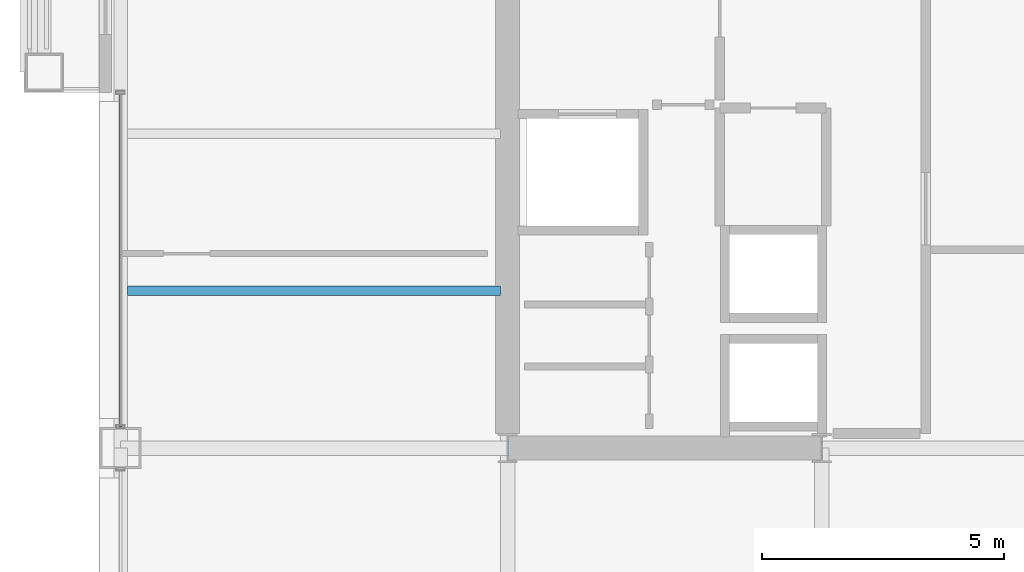
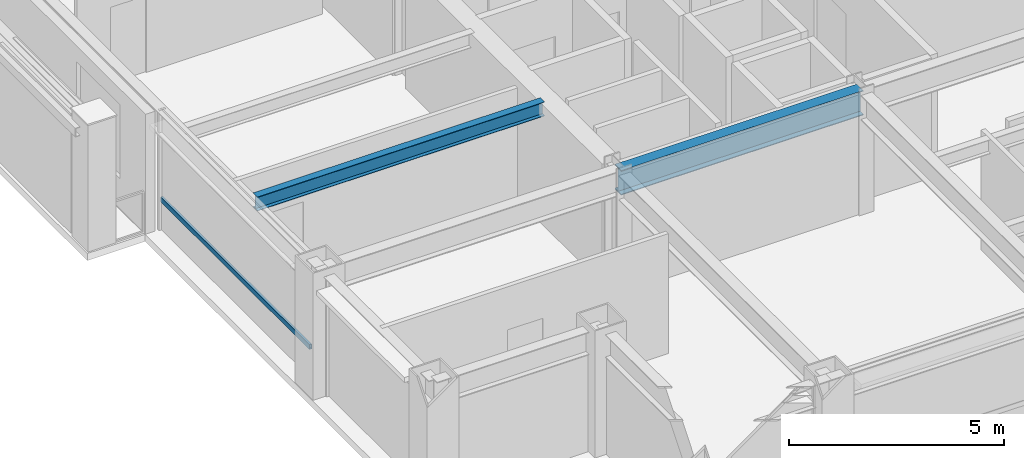
# One storey, part 4 of 31: 2 beams, 1 member, 1 element without a shape of its own.
"""IFC4 building model written with IfcOpenShell, lengths in metres."""

from ifc_helpers import new_model, si_unit, direction, frame, origin, origin_2d, place, context, subcontext, project, spatial, hollow_rectangle, i_section, extrude, material, layer, layer_set, material_profile, profile_set, type_object, element, aggregate, save


model = new_model("IFC4")

# Units and contexts
model_context = context("Model", 3, precision=1e-05, world=origin(), true_north=direction((0.0, 1.0)))
body_context = subcontext(model_context, "Body", "Model", "MODEL_VIEW")
ifc_project = project(units=[si_unit("LENGTHUNIT", "METRE"), si_unit("AREAUNIT", "SQUARE_METRE"), si_unit("VOLUMEUNIT", "CUBIC_METRE"), si_unit("PLANEANGLEUNIT", "RADIAN"), si_unit("MASSUNIT", "GRAM", prefix="KILO")], contexts=[model_context])

# Site, building, storey
site_placement = place(None, origin())
site = spatial("IfcSite", under=ifc_project, at=site_placement, CompositionType="ELEMENT")
building_placement = place(site_placement, origin())
building = spatial("IfcBuilding", under=site, at=building_placement, Name="Brelmoor Portico Tower", CompositionType="ELEMENT")
storey_placement = place(building_placement, frame((0.0, 0.0, 113.39990234375)))
storey = spatial("IfcBuildingStorey", under=building, at=storey_placement, Name="L29", CompositionType="ELEMENT", Elevation=113.39990234375)

# Beams
ifc_material_1 = material(Name="Steel Q355B", Category="steel")
ifc_material_profile_1 = material_profile(ifc_material_1, i_section(OverallWidth=0.199951171875, OverallDepth=0.39990234375, WebThickness=0.008056640625, FlangeThickness=0.012939453125, at=origin_2d()), Name="HN 400x200x8x13")
ifc_profile_set_1 = profile_set([ifc_material_profile_1], Name="Steel Q355B")
beam_type_1 = type_object("IfcBeamType", Name="BM-JS-400", PredefinedType="JOIST", material=ifc_profile_set_1)
beam_1_placement = place(storey_placement, frame((-22.409912109375, -6.5, 3.2001953125), z_axis=(1.0, 0.0, 0.0), x_axis=(0.0, 1.0, 0.0)))
element("IfcBeam", 1, at=beam_1_placement, inside=storey, type_object=beam_type_1, Name="L29 Secondary Wing Joist JS-W05", PredefinedType="JOIST", context=body_context, shape_type="SweptSolid", body=[
    extrude(i_section(OverallWidth=0.199951171875, OverallDepth=0.39990234375, WebThickness=0.008056640625, FlangeThickness=0.012939453125, at=origin_2d()), origin(), (0.0, 0.0, 1.0), 7.7099609375),
])
ifc_material_profile_2 = material_profile(ifc_material_1, i_section(OverallWidth=0.300048828125, OverallDepth=0.699951171875, WebThickness=0.012939453125, FlangeThickness=0.02392578125, at=origin_2d()), Name="HN 700x300x13x24")
ifc_profile_set_2 = profile_set([ifc_material_profile_2], Name="Steel Q355B")
beam_type_2 = type_object("IfcBeamType", Name="BM-PG-700", PredefinedType="BEAM", material=ifc_profile_set_2)
beam_2_placement = place(storey_placement, frame((-14.550048828125, -9.75, 3.050048828125), z_axis=(1.0, 0.0, 0.0), x_axis=(0.0, 1.0, 0.0)))
element("IfcBeam", 2, at=beam_2_placement, inside=storey, type_object=beam_type_2, Name="L29 Primary Floor Girder PG-15", PredefinedType="BEAM", context=body_context, shape_type="SweptSolid", body=[
    extrude(i_section(OverallWidth=0.300048828125, OverallDepth=0.699951171875, WebThickness=0.012939453125, FlangeThickness=0.02392578125, at=origin_2d()), origin(), (0.0, 0.0, 1.0), 6.5),
])

# Curtain wall, member
ifc_material_2 = material(Name="Anodised Aluminium Alloy 6063-T6", Category="aluminium")
ifc_layer = layer(ifc_material_2, 0.179931640625)
ifc_layer_set = layer_set([ifc_layer], Name="Anodised Aluminium Alloy 6063-T6")
curtain_wall_type = type_object("IfcCurtainWallType", Name="CW-TOWER-Z2", PredefinedType="NOTDEFINED", material=ifc_layer_set)
curtain_wall_placement = place(storey_placement, origin())
curtain_wall = element("IfcCurtainWall", 3, at=curtain_wall_placement, inside=storey, type_object=curtain_wall_type, Name="L29 Curtain Wall CW-L29-3L-2", PredefinedType="NOTDEFINED")
ifc_material_profile_3 = material_profile(ifc_material_2, hollow_rectangle(XDim=0.06494140625, YDim=0.139892578125, WallThickness=0.00390625, at=origin_2d()), Name="ALU TRANSOM 65x140")
ifc_profile_set_3 = profile_set([ifc_material_profile_3], Name="Anodised Aluminium Alloy 6063-T6")
member_type = type_object("IfcMemberType", Name="MB-CW-TRAN-140", PredefinedType="USERDEFINED", material=ifc_profile_set_3)
member_placement = place(storey_placement, frame((-22.550048828125, -9.31494140625, 0.85009765625), z_axis=(0.0, 1.0, 0.0), x_axis=(-1.0, 0.0, 0.0)))
member = element("IfcMember", 4, at=member_placement, type_object=member_type, Name="CW-L29-3L-2 Transom 1-00", ObjectType="TRANSOM", PredefinedType="USERDEFINED", context=body_context, shape_type="SweptSolid", body=[
    extrude(hollow_rectangle(XDim=0.06494140625, YDim=0.139892578125, WallThickness=0.00390625, at=origin_2d()), origin(), (0.0, 0.0, 1.0), 6.9150390625),
])
aggregate(curtain_wall, [member])

save(model, "model.ifc")
